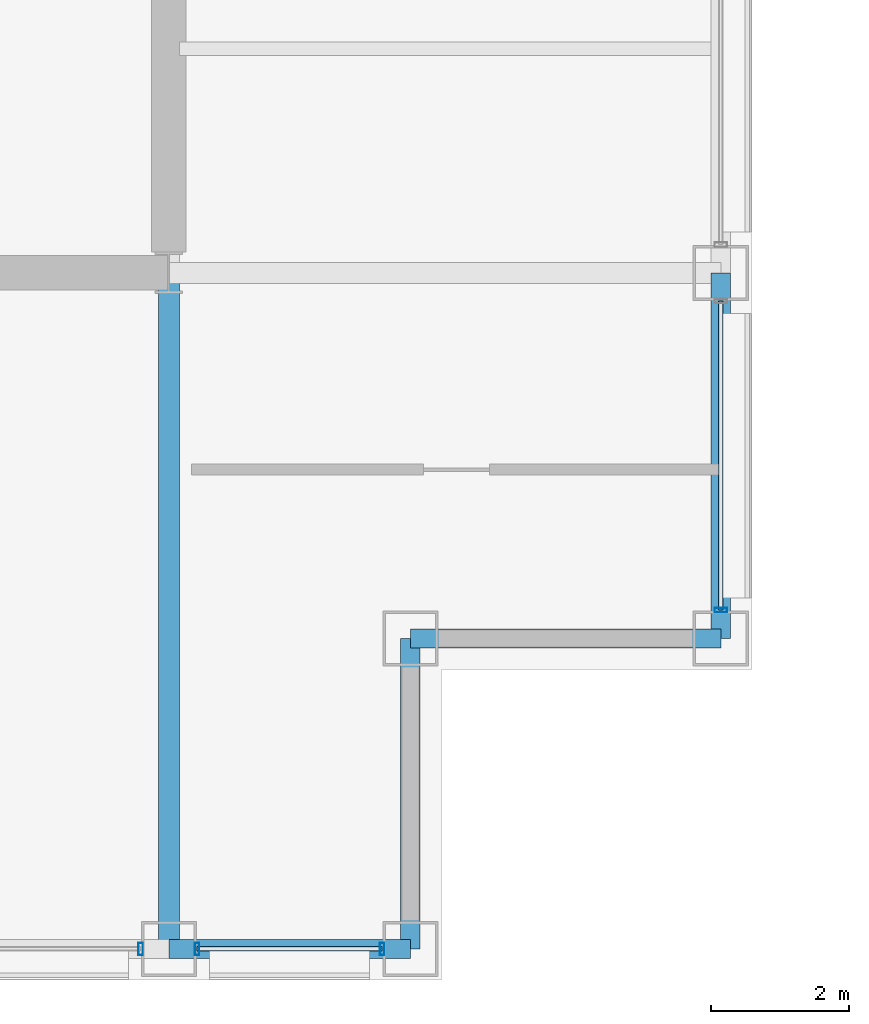
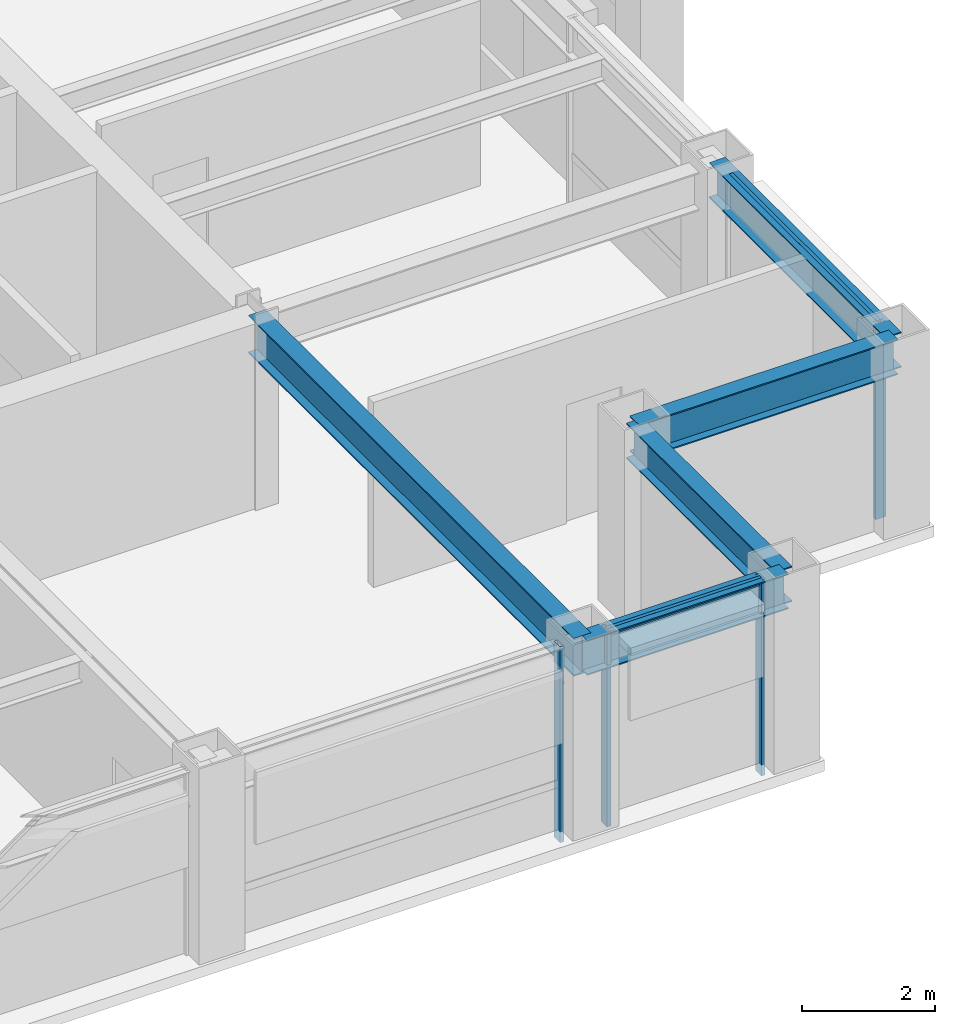
# One storey, part 12 of 29: 6 members, 5 beams, 3 elements without a shape of their own.
"""IFC4 building model written with IfcOpenShell, lengths in metres."""

from ifc_helpers import new_model, si_unit, direction, frame, origin, origin_2d, place, context, subcontext, project, spatial, hollow_rectangle, i_section, extrude, material, layer, layer_set, material_profile, profile_set, type_object, element, aggregate, save


model = new_model("IFC4")

# Units and contexts
model_context = context("Model", 3, precision=1e-05, world=origin(), true_north=direction((0.0, 1.0)))
body_context = subcontext(model_context, "Body", "Model", "MODEL_VIEW")
ifc_project = project(units=[si_unit("LENGTHUNIT", "METRE"), si_unit("AREAUNIT", "SQUARE_METRE"), si_unit("VOLUMEUNIT", "CUBIC_METRE"), si_unit("PLANEANGLEUNIT", "RADIAN"), si_unit("MASSUNIT", "GRAM", prefix="KILO")], contexts=[model_context])

# Site, building, storey
site_placement = place(None, origin())
site = spatial("IfcSite", under=ifc_project, at=site_placement, CompositionType="ELEMENT")
building_placement = place(site_placement, origin())
building = spatial("IfcBuilding", under=site, at=building_placement, Name="Brelmoor Portico Tower", CompositionType="ELEMENT")
storey_placement = place(building_placement, frame((0.0, 0.0, 124.199951171875)))
storey = spatial("IfcBuildingStorey", under=building, at=storey_placement, Name="L32", CompositionType="ELEMENT", Elevation=124.199951171875)

# Beams
ifc_material_1 = material(Name="Steel Q355B", Category="steel")
ifc_material_profile_1 = material_profile(ifc_material_1, i_section(OverallWidth=0.300048828125, OverallDepth=0.699951171875, WebThickness=0.012939453125, FlangeThickness=0.02392578125, at=origin_2d()), Name="HN 700x300x13x24")
ifc_profile_set_1 = profile_set([ifc_material_profile_1], Name="Steel Q355B")
beam_type_1 = type_object("IfcBeamType", Name="BM-PG-700", PredefinedType="BEAM", material=ifc_profile_set_1)
beam_1_placement = place(storey_placement, frame((14.550048828125, -19.550048828125, 3.050048828125), z_axis=(0.0, 1.0, 0.0), x_axis=(-1.0, 0.0, 0.0)))
element("IfcBeam", 1, at=beam_1_placement, inside=storey, type_object=beam_type_1, Name="L32 Primary Floor Girder PG-10", PredefinedType="BEAM", context=body_context, shape_type="SweptSolid", body=[
    extrude(i_section(OverallWidth=0.300048828125, OverallDepth=0.699951171875, WebThickness=0.012939453125, FlangeThickness=0.02392578125, at=origin_2d()), origin(), (0.0, 0.0, 1.0), 9.800048828125),
])
ifc_material_profile_2 = material_profile(ifc_material_1, i_section(OverallWidth=0.280029296875, OverallDepth=0.64990234375, WebThickness=0.012939453125, FlangeThickness=0.02197265625, at=origin_2d()), Name="HN 650x280x13x22")
ifc_profile_set_2 = profile_set([ifc_material_profile_2], Name="Steel Q355B")
beam_type_2 = type_object("IfcBeamType", Name="BM-SP-650", PredefinedType="SPANDREL", material=ifc_profile_set_2)
beam_2_placement = place(storey_placement, frame((14.550048828125, -19.550048828125, 3.074951171875), z_axis=(1.0, 0.0, 0.0), x_axis=(0.0, 1.0, 0.0)))
element("IfcBeam", 2, at=beam_2_placement, inside=storey, type_object=beam_type_2, Name="L32 Perimeter Spandrel Beam SP-05", PredefinedType="SPANDREL", context=body_context, shape_type="SweptSolid", body=[
    extrude(i_section(OverallWidth=0.280029296875, OverallDepth=0.64990234375, WebThickness=0.012939453125, FlangeThickness=0.02197265625, at=origin_2d()), origin(), (0.0, 0.0, 1.0), 3.5),
])
for number, where, z_axis, x_axis, name in (
    (3, (18.050048828125, -15.050048828125, 3.074951171875), (1.0, 0.0, 0.0), (0.0, 1.0, 0.0), "L32 Perimeter Spandrel Beam SP-07"),
    (4, (18.050048828125, -19.550048828125, 3.074951171875), (0.0, 1.0, 0.0), (-1.0, 0.0, 0.0), "L32 Perimeter Spandrel Beam SP-20"),
):
    element("IfcBeam", number, at=place(storey_placement, frame(where, z_axis=z_axis, x_axis=x_axis)), inside=storey, type_object=beam_type_2, Name=name, PredefinedType="SPANDREL", context=body_context, shape_type="SweptSolid", body=[
        extrude(i_section(OverallWidth=0.280029296875, OverallDepth=0.64990234375, WebThickness=0.012939453125, FlangeThickness=0.02197265625, at=origin_2d()), origin(), (0.0, 0.0, 1.0), 4.5),
    ])
beam_3_placement = place(storey_placement, frame((22.550048828125, -15.050048828125, 3.074951171875), z_axis=(0.0, 1.0, 0.0), x_axis=(-1.0, 0.0, 0.0)))
element("IfcBeam", 5, at=beam_3_placement, inside=storey, type_object=beam_type_2, Name="L32 Perimeter Spandrel Beam SP-22", PredefinedType="SPANDREL", context=body_context, shape_type="SweptSolid", body=[
    extrude(i_section(OverallWidth=0.280029296875, OverallDepth=0.64990234375, WebThickness=0.012939453125, FlangeThickness=0.02197265625, at=origin_2d()), origin(), (0.0, 0.0, 1.0), 5.300048828125),
])

# Curtain wall, member
ifc_material_2 = material(Name="Anodised Aluminium Alloy 6063-T6", Category="aluminium")
ifc_layer_1 = layer(ifc_material_2, 0.179931640625)
ifc_layer_set_1 = layer_set([ifc_layer_1], Name="Anodised Aluminium Alloy 6063-T6")
curtain_wall_type_1 = type_object("IfcCurtainWallType", Name="CW-TOWER-Z2", PredefinedType="NOTDEFINED", material=ifc_layer_set_1)
curtain_wall_1_placement = place(storey_placement, origin())
curtain_wall_1 = element("IfcCurtainWall", 6, at=curtain_wall_1_placement, inside=storey, type_object=curtain_wall_type_1, Name="L32 Curtain Wall CW-L32-01-4", PredefinedType="NOTDEFINED")
ifc_material_profile_3 = material_profile(ifc_material_2, hollow_rectangle(XDim=0.06494140625, YDim=0.179931640625, WallThickness=0.00390625, at=origin_2d()), Name="ALU MULLION 65x180")
ifc_profile_set_3 = profile_set([ifc_material_profile_3], Name="Anodised Aluminium Alloy 6063-T6")
member_type_1 = type_object("IfcMemberType", Name="MB-CW-MULL-180", PredefinedType="MULLION", material=ifc_profile_set_3)
member_1_placement = place(storey_placement, frame((14.139892578125, -19.550048828125, -0.199951171875), z_axis=(0.0, 0.0, 1.0), x_axis=(1.0, 0.0, 0.0)))
member_1 = element("IfcMember", 7, at=member_1_placement, type_object=member_type_1, Name="CW-L32-01-4 Mullion 01", PredefinedType="MULLION", context=body_context, shape_type="SweptSolid", body=[
    extrude(hollow_rectangle(XDim=0.06494140625, YDim=0.179931640625, WallThickness=0.00390625, at=origin_2d()), origin(), (0.0, 0.0, 1.0), 3.60009765625),
])
aggregate(curtain_wall_1, [member_1])

# Curtain wall, members
ifc_layer_2 = layer(ifc_material_2, 0.179931640625)
ifc_layer_set_2 = layer_set([ifc_layer_2], Name="Anodised Aluminium Alloy 6063-T6")
curtain_wall_type_2 = type_object("IfcCurtainWallType", Name="CW-TOWER-Z2-XB", PredefinedType="NOTDEFINED", material=ifc_layer_set_2)
curtain_wall_2_placement = place(storey_placement, origin())
curtain_wall_2 = element("IfcCurtainWall", 8, at=curtain_wall_2_placement, inside=storey, type_object=curtain_wall_type_2, Name="L32 Curtain Wall CW-L32-01-5", PredefinedType="NOTDEFINED")
member_2_placement = place(storey_placement, frame((14.9599609375, -19.550048828125, -0.199951171875), z_axis=(0.0, 0.0, 1.0), x_axis=(1.0, 0.0, 0.0)))
member_2 = element("IfcMember", 9, at=member_2_placement, type_object=member_type_1, Name="CW-L32-01-5 Mullion 00", PredefinedType="MULLION", context=body_context, shape_type="SweptSolid", body=[
    extrude(hollow_rectangle(XDim=0.06494140625, YDim=0.179931640625, WallThickness=0.00390625, at=origin_2d()), origin(), (0.0, 0.0, 1.0), 3.60009765625),
])
member_3_placement = place(storey_placement, frame((17.639892578125, -19.550048828125, -0.199951171875), z_axis=(0.0, 0.0, 1.0), x_axis=(1.0, 0.0, 0.0)))
member_3 = element("IfcMember", 10, at=member_3_placement, type_object=member_type_1, Name="CW-L32-01-5 Mullion 01", PredefinedType="MULLION", context=body_context, shape_type="SweptSolid", body=[
    extrude(hollow_rectangle(XDim=0.06494140625, YDim=0.179931640625, WallThickness=0.00390625, at=origin_2d()), origin(), (0.0, 0.0, 1.0), 3.60009765625),
])

# Curtain wall, member
curtain_wall_3_placement = place(storey_placement, origin())
curtain_wall_3 = element("IfcCurtainWall", 11, at=curtain_wall_3_placement, inside=storey, type_object=curtain_wall_type_2, Name="L32 Curtain Wall CW-L32-4L-1", PredefinedType="NOTDEFINED")
member_4_placement = place(storey_placement, frame((22.550048828125, -14.639892578125, -0.199951171875), z_axis=(0.0, 0.0, 1.0), x_axis=(0.0, 1.0, 0.0)))
member_4 = element("IfcMember", 12, at=member_4_placement, type_object=member_type_1, Name="CW-L32-4L-1 Mullion 00", PredefinedType="MULLION", context=body_context, shape_type="SweptSolid", body=[
    extrude(hollow_rectangle(XDim=0.06494140625, YDim=0.179931640625, WallThickness=0.00390625, at=origin_2d()), origin(), (0.0, 0.0, 1.0), 3.60009765625),
])

# Member
ifc_material_profile_4 = material_profile(ifc_material_2, hollow_rectangle(XDim=0.06494140625, YDim=0.139892578125, WallThickness=0.00390625, at=origin_2d()), Name="ALU TRANSOM 65x140")
ifc_profile_set_4 = profile_set([ifc_material_profile_4], Name="Anodised Aluminium Alloy 6063-T6")
member_type_2 = type_object("IfcMemberType", Name="MB-CW-TRAN-140", PredefinedType="USERDEFINED", material=ifc_profile_set_4)
member_5_placement = place(storey_placement, frame((14.9599609375, -19.550048828125, 3.330078125), z_axis=(1.0, 0.0, 0.0), x_axis=(0.0, 1.0, 0.0)))
member_5 = element("IfcMember", 13, at=member_5_placement, type_object=member_type_2, Name="CW-L32-01-5 Transom 1-00", ObjectType="TRANSOM", PredefinedType="USERDEFINED", context=body_context, shape_type="SweptSolid", body=[
    extrude(hollow_rectangle(XDim=0.06494140625, YDim=0.139892578125, WallThickness=0.00390625, at=origin_2d()), origin(), (0.0, 0.0, 1.0), 2.679931640625),
])

aggregate(curtain_wall_2, [member_2, member_3, member_5])

member_6_placement = place(storey_placement, frame((22.550048828125, -14.639892578125, 3.330078125), z_axis=(0.0, 1.0, 0.0), x_axis=(-1.0, 0.0, 0.0)))
member_6 = element("IfcMember", 14, at=member_6_placement, type_object=member_type_2, Name="CW-L32-4L-1 Transom 1-00", ObjectType="TRANSOM", PredefinedType="USERDEFINED", context=body_context, shape_type="SweptSolid", body=[
    extrude(hollow_rectangle(XDim=0.06494140625, YDim=0.139892578125, WallThickness=0.00390625, at=origin_2d()), origin(), (0.0, 0.0, 1.0), 4.47998046875),
])

aggregate(curtain_wall_3, [member_4, member_6])

save(model, "model.ifc")
